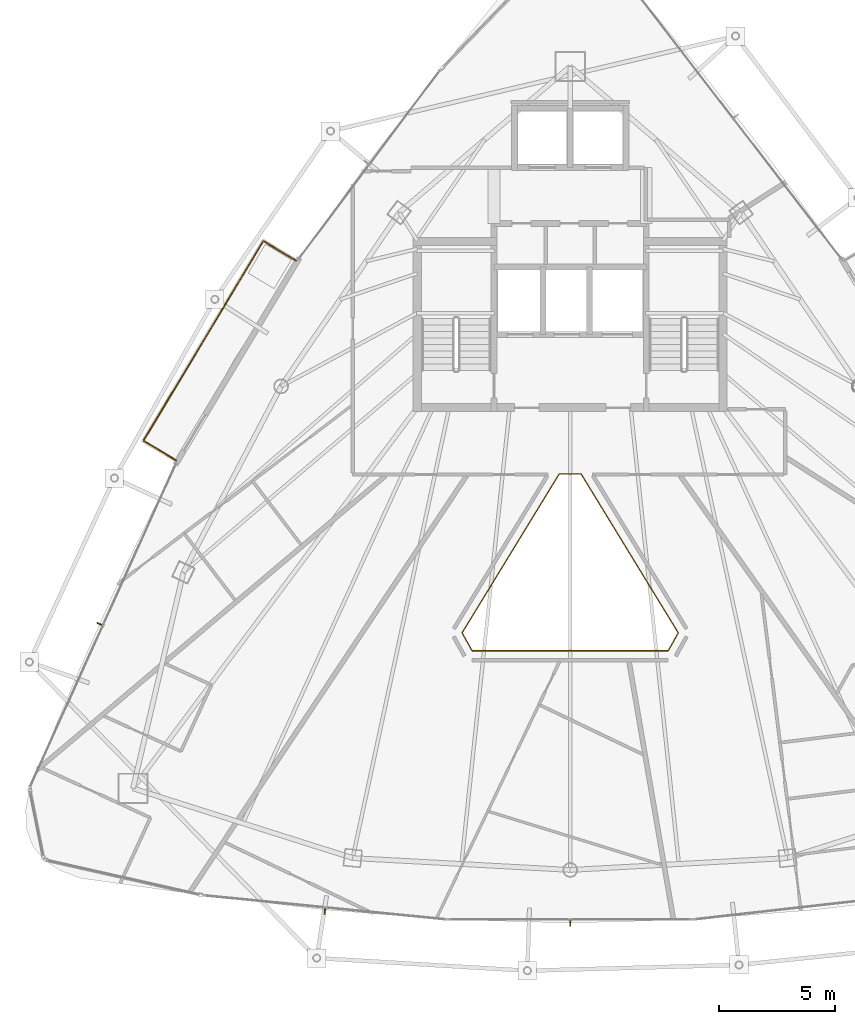
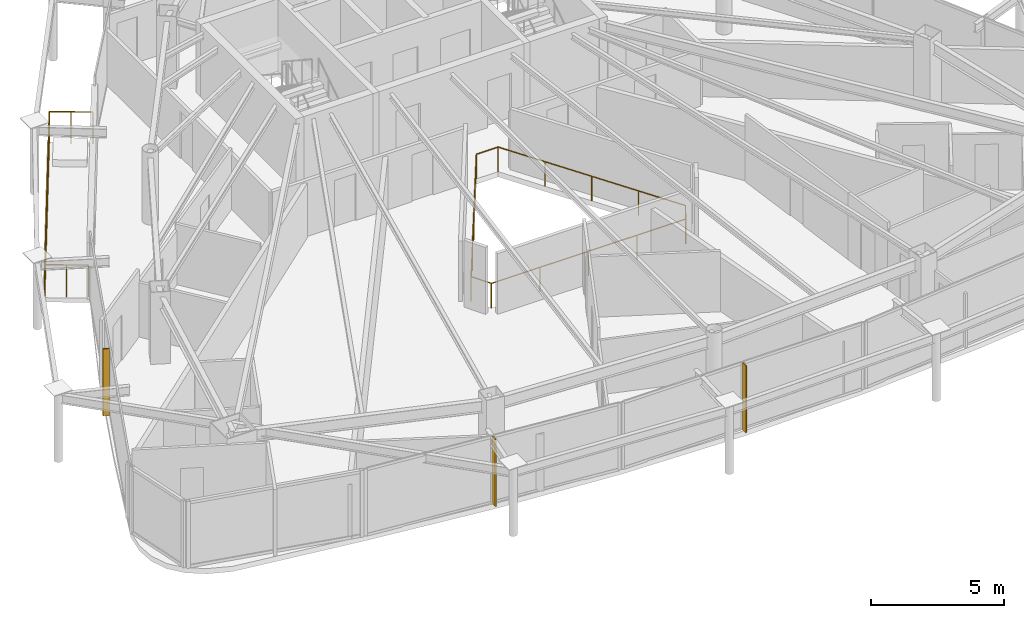
# One storey, part 31 of 33: 3 shading devices, 2 railings.
"""IFC4 building model written with IfcOpenShell, lengths in metres."""

from ifc_helpers import new_model, si_unit, direction, frame, origin, origin_2d, place, context, subcontext, project, spatial, rectangle, circle, extrude, material, layer, layer_set, type_object, element, save


model = new_model("IFC4")

# Units and contexts
model_context = context("Model", 3, precision=1e-05, world=origin(), true_north=direction((0.0, 1.0)))
body_context = subcontext(model_context, "Body", "Model", "MODEL_VIEW")
ifc_project = project(units=[si_unit("LENGTHUNIT", "METRE"), si_unit("AREAUNIT", "SQUARE_METRE"), si_unit("VOLUMEUNIT", "CUBIC_METRE"), si_unit("PLANEANGLEUNIT", "RADIAN"), si_unit("MASSUNIT", "GRAM", prefix="KILO")], contexts=[model_context])

# Site, building, storey
site_placement = place(None, origin())
site = spatial("IfcSite", under=ifc_project, at=site_placement, CompositionType="ELEMENT")
building_placement = place(site_placement, origin())
building = spatial("IfcBuilding", under=site, at=building_placement, Name="Orvanel Arch Residences", CompositionType="ELEMENT")
storey_placement = place(building_placement, frame((0.0, 0.0, 212.89990234375)))
storey = spatial("IfcBuildingStorey", under=building, at=storey_placement, Name="L60", CompositionType="ELEMENT", Elevation=212.89990234375)

# Shading devices
ifc_material = material(Name="Bronze-anodised aluminium AA6063-T6", Category="aluminium")
ifc_layer = layer(ifc_material, 0.050048828125)
ifc_layer_set = layer_set([ifc_layer], Name="Bronze-anodised aluminium AA6063-T6")
shading_device_type = type_object("IfcShadingDeviceType", Name="FIN-BRZ-260", PredefinedType="USERDEFINED", material=ifc_layer_set)
for number, where, z_axis, x_axis, name in (
    (1, (12.764892578125, 17.419921875, 0.0), (0.0, 0.0, 1.0), (-0.911403276635, 0.411514358605, 0.0), "L60 Anodised Bronze Mullion FIN 01"),
    (2, (22.450927734375, 5.074951171875, 0.0), (0.0, 0.0, 1.0), (-0.099319749744, -0.995055569961, 0.0), "L60 Anodised Bronze Mullion FIN 01"),
    (3, (33.0, 4.552978515625, 0.0), (0.0, 0.0, 1.0), (0.0, -1.0, 0.0), "L60 Anodised Bronze Mullion FIN 01"),
):
    element("IfcShadingDevice", number, at=place(storey_placement, frame(where, z_axis=z_axis, x_axis=x_axis)), inside=storey, type_object=shading_device_type, Name=name, ObjectType="FIN", PredefinedType="USERDEFINED", context=body_context, shape_type="SweptSolid", body=[
        extrude(rectangle(XDim=0.260009765625, YDim=0.050048828125, at=origin_2d()), origin(), (0.0, 0.0, 1.0), 3.06005859375),
    ])

# Railings
railing_type_1 = type_object("IfcRailingType", Name="RL-ATR-1150", PredefinedType="BALUSTRADE", material=ifc_material)
railing_1_placement = place(storey_placement, frame((33.470947265625, 23.867919921875, 0.0)))
element("IfcRailing", 4, at=railing_1_placement, inside=storey, type_object=railing_type_1, Name="L60 Atrium Void Protective Balustrade", PredefinedType="BALUSTRADE", context=body_context, shape_type="SweptSolid", body=[
    extrude(circle(Radius=0.02392578125, at=origin_2d()), frame((-0.00146484375, 0.0, 1.1259765625), z_axis=(-1.0, 0.0, 0.0), x_axis=(0.0, -1.0, 0.0)), (0.0, 0.0, 1.0), 0.93896484375),
    extrude(circle(Radius=0.02392578125, at=origin_2d()), frame((-0.942626953125, -0.001220703125, 1.1259765625), z_axis=(-0.521495669835, -0.853253928408, 0.0), x_axis=(0.853253928408, -0.521495669835, 0.0)), (0.0, 0.0, 1.0), 7.999267578125),
    extrude(circle(Radius=0.02392578125, at=origin_2d()), frame((-5.1142578125, -6.8291015625, 1.1259765625), z_axis=(0.488552824191, -0.872534319082, 0.0), x_axis=(0.872534319082, 0.488552824191, 0.0)), (0.0, 0.0, 1.0), 0.87939453125),
    extrude(circle(Radius=0.02392578125, at=origin_2d()), frame((-4.682373046875, -7.597900390625, 1.1259765625), z_axis=(1.0, 0.0, 0.0), x_axis=(0.0, 1.0, 0.0)), (0.0, 0.0, 1.0), 8.4228515625),
    extrude(circle(Radius=0.02392578125, at=origin_2d()), frame((3.74267578125, -7.5966796875, 1.1259765625), z_axis=(0.488552824191, 0.872534319082, 0.0), x_axis=(-0.872534319082, 0.488552824191, 0.0)), (0.0, 0.0, 1.0), 0.87939453125),
    extrude(circle(Radius=0.02392578125, at=origin_2d()), frame((4.17236328125, -6.82666015625, 1.1259765625), z_axis=(-0.521495669835, 0.853253928408, 0.0), x_axis=(-0.853253928408, -0.521495669835, 0.0)), (0.0, 0.0, 1.0), 7.999267578125),
    extrude(circle(Radius=0.02099609375, at=origin_2d()), origin(), (0.0, 0.0, 1.0), 1.099853515625),
    extrude(circle(Radius=0.02099609375, at=origin_2d()), frame((-0.94189453125, 0.0, 0.0)), (0.0, 0.0, 1.0), 1.099853515625),
    extrude(circle(Radius=0.02099609375, at=origin_2d()), frame((-1.985107421875, -1.70703125, 0.0)), (0.0, 0.0, 1.0), 1.099853515625),
    extrude(circle(Radius=0.02099609375, at=origin_2d()), frame((-3.0283203125, -3.4140625, 0.0)), (0.0, 0.0, 1.0), 1.099853515625),
    extrude(circle(Radius=0.02099609375, at=origin_2d()), frame((-4.07177734375, -5.120849609375, 0.0)), (0.0, 0.0, 1.0), 1.099853515625),
    extrude(circle(Radius=0.02099609375, at=origin_2d()), frame((-5.114990234375, -6.827880859375, 0.0)), (0.0, 0.0, 1.0), 1.099853515625),
    extrude(circle(Radius=0.02099609375, at=origin_2d()), frame((-4.683837890625, -7.597900390625, 0.0)), (0.0, 0.0, 1.0), 1.099853515625),
    extrude(circle(Radius=0.02099609375, at=origin_2d()), frame((-2.577392578125, -7.597900390625, 0.0)), (0.0, 0.0, 1.0), 1.099853515625),
    extrude(circle(Radius=0.02099609375, at=origin_2d()), frame((-0.470947265625, -7.597900390625, 0.0)), (0.0, 0.0, 1.0), 1.099853515625),
    extrude(circle(Radius=0.02099609375, at=origin_2d()), frame((1.635498046875, -7.597900390625, 0.0)), (0.0, 0.0, 1.0), 1.099853515625),
    extrude(circle(Radius=0.02099609375, at=origin_2d()), frame((3.741943359375, -7.597900390625, 0.0)), (0.0, 0.0, 1.0), 1.099853515625),
    extrude(circle(Radius=0.02099609375, at=origin_2d()), frame((4.173095703125, -6.827880859375, 0.0)), (0.0, 0.0, 1.0), 1.099853515625),
    extrude(circle(Radius=0.02099609375, at=origin_2d()), frame((3.1298828125, -5.120849609375, 0.0)), (0.0, 0.0, 1.0), 1.099853515625),
    extrude(circle(Radius=0.02099609375, at=origin_2d()), frame((2.08642578125, -3.4140625, 0.0)), (0.0, 0.0, 1.0), 1.099853515625),
    extrude(circle(Radius=0.02099609375, at=origin_2d()), frame((1.043212890625, -1.70703125, 0.0)), (0.0, 0.0, 1.0), 1.099853515625),
])
railing_type_2 = type_object("IfcRailingType", Name="RL-BAL-1480", PredefinedType="BALUSTRADE", material=ifc_material)
railing_2_placement = place(storey_placement, frame((21.2099609375, 33.047119140625, 0.0)))
element("IfcRailing", 5, at=railing_2_placement, inside=storey, type_object=railing_type_2, Name="L60 Balcony Perimeter Guardrail Face 1", PredefinedType="BALUSTRADE", context=body_context, shape_type="SweptSolid", body=[
    extrude(circle(Radius=0.02392578125, at=origin_2d()), frame((-0.001220703125, 0.000732421875, 1.4560546875), z_axis=(-0.857387817543, 0.514670895164, 0.0), x_axis=(-0.514670895164, -0.857387817543, 0.0)), (0.0, 0.0, 1.0), 1.636962890625),
    extrude(circle(Radius=0.02392578125, at=origin_2d()), frame((-1.40673828125, 0.8427734375, 1.4560546875), z_axis=(-0.514467079564, -0.857510130579, 0.0), x_axis=(0.857510130579, -0.514467079564, 0.0)), (0.0, 0.0, 1.0), 10.013427734375),
    extrude(circle(Radius=0.02392578125, at=origin_2d()), frame((-6.557861328125, -7.745849609375, 1.4560546875), z_axis=(0.857584807373, -0.514342588322, 0.0), x_axis=(0.514342588322, 0.857584807373, 0.0)), (0.0, 0.0, 1.0), 1.637939453125),
    extrude(circle(Radius=0.02099609375, at=origin_2d()), origin(), (0.0, 0.0, 1.0), 1.429931640625),
    extrude(circle(Radius=0.02099609375, at=origin_2d()), frame((-0.703125, 0.421875, 0.0)), (0.0, 0.0, 1.0), 1.429931640625),
    extrude(circle(Radius=0.02099609375, at=origin_2d()), frame((-1.406005859375, 0.843994140625, 0.0)), (0.0, 0.0, 1.0), 1.429931640625),
    extrude(circle(Radius=0.02099609375, at=origin_2d()), frame((-1.978515625, -0.1103515625, 0.0)), (0.0, 0.0, 1.0), 1.429931640625),
    extrude(circle(Radius=0.02099609375, at=origin_2d()), frame((-2.551025390625, -1.064697265625, 0.0)), (0.0, 0.0, 1.0), 1.429931640625),
    extrude(circle(Radius=0.02099609375, at=origin_2d()), frame((-3.123779296875, -2.01904296875, 0.0)), (0.0, 0.0, 1.0), 1.429931640625),
    extrude(circle(Radius=0.02099609375, at=origin_2d()), frame((-3.6962890625, -2.973388671875, 0.0)), (0.0, 0.0, 1.0), 1.429931640625),
    extrude(circle(Radius=0.02099609375, at=origin_2d()), frame((-4.268798828125, -3.927734375, 0.0)), (0.0, 0.0, 1.0), 1.429931640625),
    extrude(circle(Radius=0.02099609375, at=origin_2d()), frame((-4.84130859375, -4.882080078125, 0.0)), (0.0, 0.0, 1.0), 1.429931640625),
    extrude(circle(Radius=0.02099609375, at=origin_2d()), frame((-5.4140625, -5.83642578125, 0.0)), (0.0, 0.0, 1.0), 1.429931640625),
    extrude(circle(Radius=0.02099609375, at=origin_2d()), frame((-5.986572265625, -6.790771484375, 0.0)), (0.0, 0.0, 1.0), 1.429931640625),
    extrude(circle(Radius=0.02099609375, at=origin_2d()), frame((-6.55908203125, -7.7451171875, 0.0)), (0.0, 0.0, 1.0), 1.429931640625),
    extrude(circle(Radius=0.02099609375, at=origin_2d()), frame((-5.85546875, -8.1669921875, 0.0)), (0.0, 0.0, 1.0), 1.429931640625),
    extrude(circle(Radius=0.02099609375, at=origin_2d()), frame((-5.15185546875, -8.589111328125, 0.0)), (0.0, 0.0, 1.0), 1.429931640625),
])

save(model, "model.ifc")
